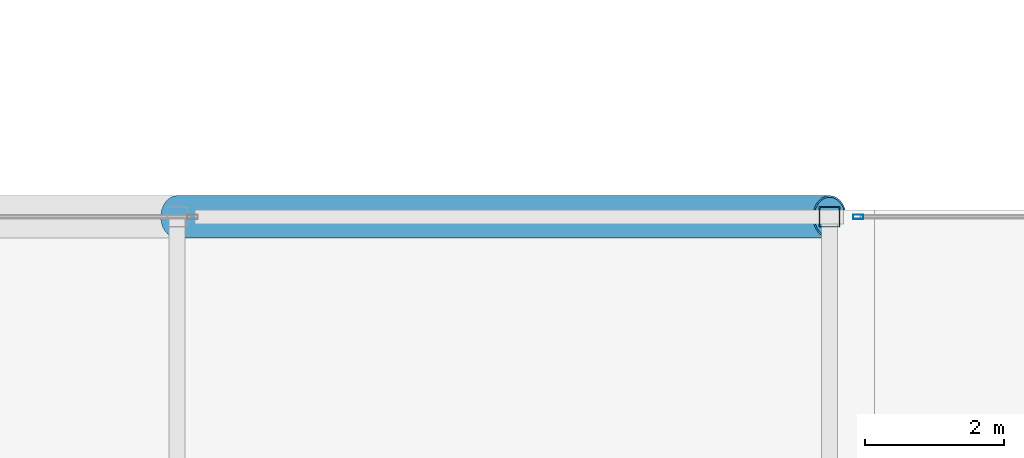
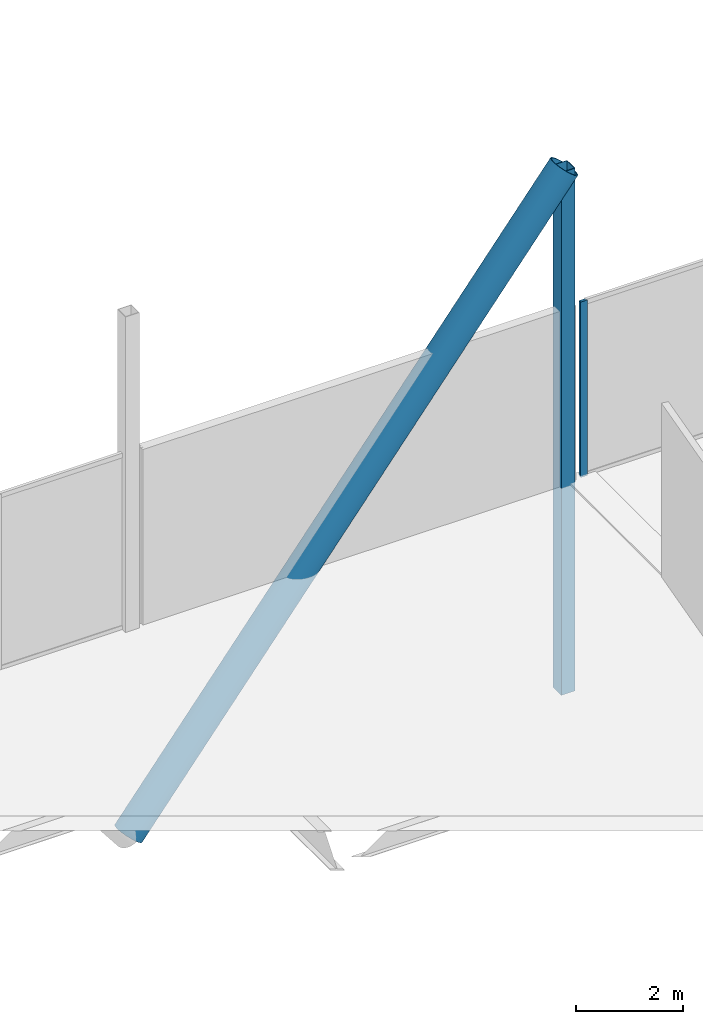
# One storey, part 28 of 53: 3 members, 1 element without a shape of its own.
"""IFC4 building model written with IfcOpenShell, lengths in metres."""

from ifc_helpers import new_model, si_unit, direction, frame, origin, origin_2d, place, context, subcontext, project, spatial, hollow_rectangle, hollow_circle, extrude, material, material_profile, profile_set, type_object, element, aggregate, save


model = new_model("IFC4")

# Units and contexts
model_context = context("Model", 3, precision=1e-05, world=origin(), true_north=direction((0.0, 1.0)))
body_context = subcontext(model_context, "Body", "Model", "MODEL_VIEW")
ifc_project = project(units=[si_unit("LENGTHUNIT", "METRE"), si_unit("AREAUNIT", "SQUARE_METRE"), si_unit("VOLUMEUNIT", "CUBIC_METRE"), si_unit("PLANEANGLEUNIT", "RADIAN"), si_unit("MASSUNIT", "GRAM", prefix="KILO")], contexts=[model_context])

# Site, building, storey
site_placement = place(None, origin())
site = spatial("IfcSite", under=ifc_project, at=site_placement, CompositionType="ELEMENT")
building_placement = place(site_placement, origin())
building = spatial("IfcBuilding", under=site, at=building_placement, Name="Tashvorn Skyway Center", CompositionType="ELEMENT")
storey_placement = place(building_placement, frame((0.0, 0.0, 255.39990234375)))
storey = spatial("IfcBuildingStorey", under=building, at=storey_placement, Name="L69", CompositionType="ELEMENT", Elevation=255.39990234375)

# Curtain wall, member
ifc_material_1 = material(Name="Thermally broken bronze-anodized aluminium 6063-T6", Category="aluminium")
curtain_wall_type = type_object("IfcCurtainWallType", Name="CW-CW-SKY", PredefinedType="NOTDEFINED", material=ifc_material_1)
curtain_wall_placement = place(storey_placement, origin())
curtain_wall = element("IfcCurtainWall", 1, at=curtain_wall_placement, inside=storey, type_object=curtain_wall_type, Name="Tower 2 L69 Vestibule North Curtain Wall", PredefinedType="NOTDEFINED")
ifc_material_profile_1 = material_profile(ifc_material_1, hollow_rectangle(XDim=0.06494140625, YDim=0.14990234375, WallThickness=0.00390625, at=origin_2d()), Name="ALU-MULL-65x150")
ifc_profile_set_1 = profile_set([ifc_material_profile_1], Name="Thermally broken bronze-anodized aluminium 6063-T6")
member_type_1 = type_object("IfcMemberType", Name="CWM-CW-SKY", PredefinedType="MULLION", material=ifc_profile_set_1)
member_1_placement = place(storey_placement, frame((94.91259765625, 39.89990234375, 0.0), z_axis=(0.0, 0.0, 1.0), x_axis=(0.0, 1.0, 0.0)))
member_1 = element("IfcMember", 2, at=member_1_placement, type_object=member_type_1, Name="CW-SKY mullion 1", PredefinedType="MULLION", context=body_context, shape_type="SweptSolid", body=[
    extrude(hollow_rectangle(XDim=0.06494140625, YDim=0.14990234375, WallThickness=0.00390625, at=origin_2d()), origin(), (0.0, 0.0, 1.0), 4.0),
])
aggregate(curtain_wall, [member_1])

# Members
ifc_material_2 = material(Name="Steel ASTM A572 Grade 50", Category="steel")
ifc_material_profile_2 = material_profile(ifc_material_2, hollow_circle(Radius=0.304931640625, WallThickness=0.02490234375, at=origin_2d()), Name="CHS610x25")
ifc_profile_set_2 = profile_set([ifc_material_profile_2], Name="Steel ASTM A572 Grade 50")
member_type_2 = type_object("IfcMemberType", Name="MEM-SP-DIA-610", PredefinedType="BRACE", material=ifc_profile_set_2)
member_2_placement = place(storey_placement, frame((85.10009765625, 39.89990234375, -4.725341796875), z_axis=(0.619215562417, 0.0, 0.785221043567), x_axis=(0.0, 1.0, 0.0)))
element("IfcMember", 3, at=member_2_placement, inside=storey, type_object=member_type_2, Name="Sky-Park Truss 2 Web Diagonal 09", PredefinedType="BRACE", context=body_context, shape_type="SweptSolid", body=[
    extrude(hollow_circle(Radius=0.304931640625, WallThickness=0.02490234375, at=origin_2d()), origin(), (0.0, 0.0, 1.0), 15.180419921875),
])
ifc_material_profile_3 = material_profile(ifc_material_2, hollow_rectangle(XDim=0.300048828125, YDim=0.300048828125, WallThickness=0.012451171875, at=origin_2d()), Name="HSS300x300x12.5")
ifc_profile_set_3 = profile_set([ifc_material_profile_3], Name="Steel ASTM A572 Grade 50")
member_type_3 = type_object("IfcMemberType", Name="MEM-SP-PST-300", PredefinedType="POST", material=ifc_profile_set_3)
member_3_placement = place(storey_placement, frame((94.5, 39.89990234375, -4.725341796875), z_axis=(0.0, 0.0, 1.0), x_axis=(1.0, 0.0, 0.0)))
element("IfcMember", 4, at=member_3_placement, inside=storey, type_object=member_type_3, Name="Sky-Park Truss 2 Vertical Post 10", PredefinedType="POST", context=body_context, shape_type="SweptSolid", body=[
    extrude(hollow_rectangle(XDim=0.300048828125, YDim=0.300048828125, WallThickness=0.012451171875, at=origin_2d()), origin(), (0.0, 0.0, 1.0), 11.919921875),
])

save(model, "model.ifc")
